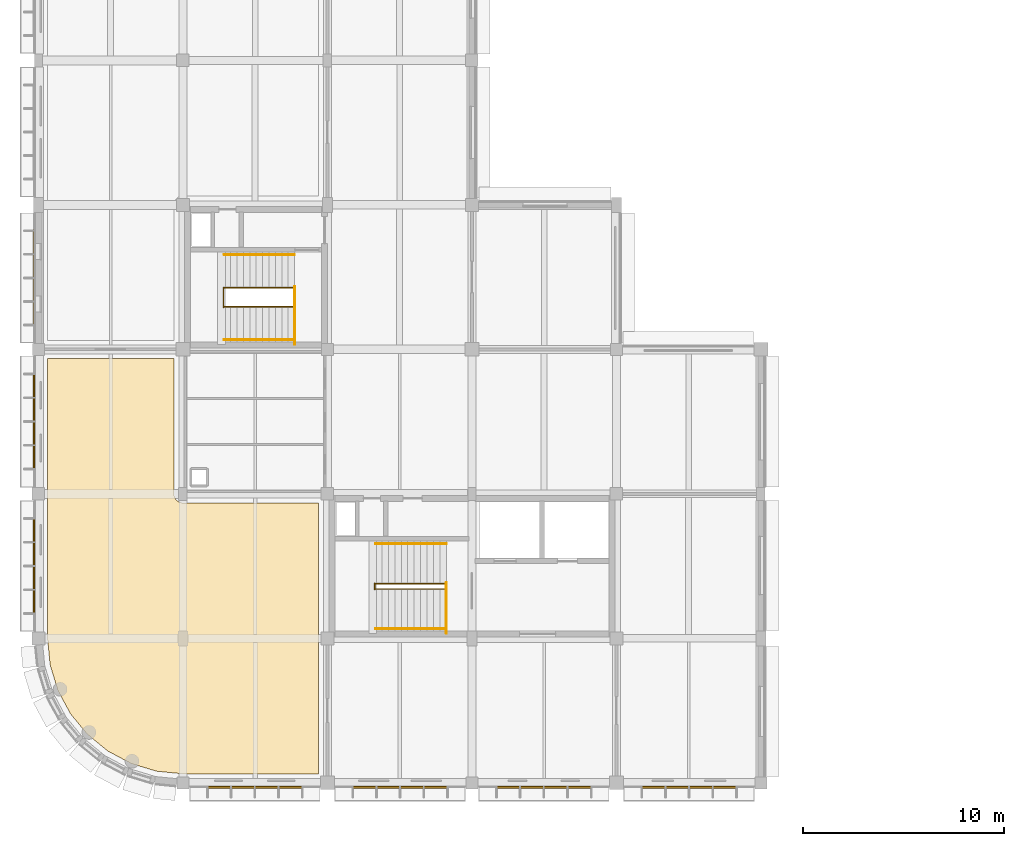
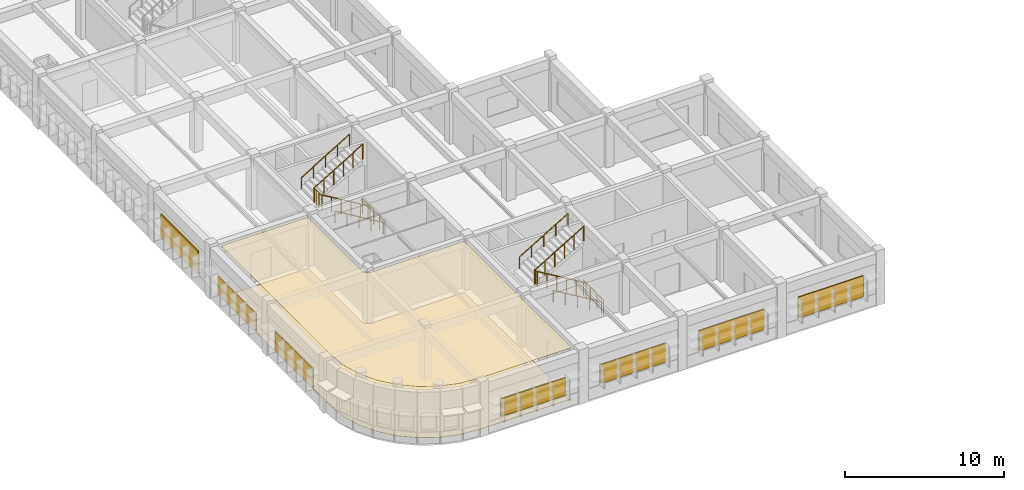
# One storey, part 33 of 38: 12 railings, 7 shading devices, 2 coverings.
"""IFC4 building model written with IfcOpenShell, lengths in metres."""

from ifc_helpers import new_model, si_unit, direction, frame, origin, origin_2d, place, context, subcontext, project, spatial, polyline, rectangle, circle, outline, extrude, material, layer, layer_set, type_object, element, save


model = new_model("IFC4")

# Units and contexts
model_context = context("Model", 3, precision=1e-05, world=origin(), true_north=direction((0.0, 1.0)))
body_context = subcontext(model_context, "Body", "Model", "MODEL_VIEW")
ifc_project = project(units=[si_unit("LENGTHUNIT", "METRE"), si_unit("AREAUNIT", "SQUARE_METRE"), si_unit("VOLUMEUNIT", "CUBIC_METRE"), si_unit("PLANEANGLEUNIT", "RADIAN"), si_unit("MASSUNIT", "GRAM", prefix="KILO")], contexts=[model_context])

# Site, building, storey
site_placement = place(None, origin())
site = spatial("IfcSite", under=ifc_project, at=site_placement, CompositionType="ELEMENT")
building_placement = place(site_placement, origin())
building = spatial("IfcBuilding", under=site, at=building_placement, Name="Thalmaran Polytechnic", CompositionType="ELEMENT")
storey_placement = place(building_placement, frame((0.0, 0.0, 18.60009765625)))
storey = spatial("IfcBuildingStorey", under=building, at=storey_placement, Name="L04", CompositionType="ELEMENT", Elevation=18.60009765625)

# Coverings
ifc_material_1 = material(Name="Acoustic mineral fibre ceiling")
ifc_layer_1 = layer(ifc_material_1, 0.02490234375, Name="Acoustic mineral fibre ceiling")
ifc_layer_set_1 = layer_set([ifc_layer_1], Name="Acoustic mineral fibre ceiling")
covering_type_1 = type_object("IfcCoveringType", Name="CV-CL01", PredefinedType="CEILING", material=ifc_layer_set_1)
covering_1_placement = place(storey_placement, frame((0.0, 0.0, 3.929931640625)))
element("IfcCovering", 1, at=covering_1_placement, inside=storey, type_object=covering_type_1, Name="Thermodynamics Laboratory L04-01 Acoustic Ceiling", PredefinedType="CEILING", context=body_context, shape_type="SweptSolid", body=[
    extrude(outline(polyline([(4.61767578125, 0.9658203125), (3.451171875, 1.58935546875), (2.428466796875, 2.428466796875), (1.58935546875, 3.451171875), (0.9658203125, 4.61767578125), (0.581787109375, 5.883544921875), (0.449951171875, 7.22216796875), (0.449951171875, 21.14990234375), (6.75, 21.14990234375), (6.75, 14.39990234375), (6.752197265625, 14.35595703125), (6.758544921875, 14.312255859375), (6.769287109375, 14.269287109375), (6.7841796875, 14.227783203125), (6.80322265625, 14.18798828125), (6.825927734375, 14.14990234375), (6.85205078125, 14.114501953125), (6.8818359375, 14.081787109375), (6.91455078125, 14.05224609375), (6.949951171875, 14.02587890625), (6.98779296875, 14.003173828125), (7.02783203125, 13.984375), (7.0693359375, 13.969482421875), (7.1123046875, 13.958740234375), (7.156005859375, 13.9521484375), (7.199951171875, 13.949951171875), (13.949951171875, 13.949951171875), (13.949951171875, 0.449951171875), (7.22216796875, 0.449951171875), (5.883544921875, 0.581787109375), (4.61767578125, 0.9658203125)])), origin(), (0.0, 0.0, 1.0), 0.02490234375),
])
ifc_material_2 = material(Name="Polished terrazzo and epoxy lab flooring")
ifc_layer_2 = layer(ifc_material_2, 0.02001953125, Name="Polished terrazzo and epoxy lab flooring")
ifc_layer_set_2 = layer_set([ifc_layer_2], Name="Polished terrazzo and epoxy lab flooring")
covering_type_2 = type_object("IfcCoveringType", Name="CV-FL01", PredefinedType="FLOORING", material=ifc_layer_set_2)
covering_2_placement = place(storey_placement, origin())
element("IfcCovering", 2, at=covering_2_placement, inside=storey, type_object=covering_type_2, Name="Thermodynamics Laboratory L04-01 Specialist Finish Flooring", PredefinedType="FLOORING", context=body_context, shape_type="SweptSolid", body=[
    extrude(outline(polyline([(4.61767578125, 0.9658203125), (3.451171875, 1.58935546875), (2.428466796875, 2.428466796875), (1.58935546875, 3.451171875), (0.9658203125, 4.61767578125), (0.581787109375, 5.883544921875), (0.449951171875, 7.22216796875), (0.449951171875, 21.14990234375), (6.75, 21.14990234375), (6.75, 14.39990234375), (6.752197265625, 14.35595703125), (6.758544921875, 14.312255859375), (6.769287109375, 14.269287109375), (6.7841796875, 14.227783203125), (6.80322265625, 14.18798828125), (6.825927734375, 14.14990234375), (6.85205078125, 14.114501953125), (6.8818359375, 14.081787109375), (6.91455078125, 14.05224609375), (6.949951171875, 14.02587890625), (6.98779296875, 14.003173828125), (7.02783203125, 13.984375), (7.0693359375, 13.969482421875), (7.1123046875, 13.958740234375), (7.156005859375, 13.9521484375), (7.199951171875, 13.949951171875), (13.949951171875, 13.949951171875), (13.949951171875, 0.449951171875), (7.22216796875, 0.449951171875), (5.883544921875, 0.581787109375), (4.61767578125, 0.9658203125)])), origin(), (0.0, 0.0, 1.0), 0.02001953125),
])

# Railings
ifc_material_3 = material(Name="Stainless steel 316", Category="steel")
railing_type_1 = type_object("IfcRailingType", Name="RL-GR01", PredefinedType="GUARDRAIL", material=ifc_material_3)
railing_1_placement = place(storey_placement, frame((20.330078125, 7.449951171875, 0.0)))
element("IfcRailing", 3, at=railing_1_placement, inside=storey, type_object=railing_type_1, Name="ST1 L04 Landing Edge Guardrail", PredefinedType="GUARDRAIL", context=body_context, shape_type="SweptSolid", body=[
    extrude(circle(Radius=0.02392578125, at=origin_2d()), frame((0.0, 0.0, 1.1259765625), z_axis=(0.0, 1.0, 0.0), x_axis=(-1.0, 0.0, 0.0)), (0.0, 0.0, 1.0), 2.530029296875),
    extrude(circle(Radius=0.02099609375, at=origin_2d()), origin(), (0.0, 0.0, 1.0), 1.101806640625),
    extrude(circle(Radius=0.02099609375, at=origin_2d()), frame((0.0, 0.84326171875, 0.0)), (0.0, 0.0, 1.0), 1.101806640625),
    extrude(circle(Radius=0.02099609375, at=origin_2d()), frame((0.0, 1.686767578125, 0.0)), (0.0, 0.0, 1.0), 1.101806640625),
    extrude(circle(Radius=0.02099609375, at=origin_2d()), frame((0.0, 2.530029296875, 0.0)), (0.0, 0.0, 1.0), 1.101806640625),
])
railing_2_placement = place(storey_placement, frame((20.320068359375, 9.659912109375, 0.0)))
element("IfcRailing", 4, at=railing_2_placement, inside=storey, type_object=railing_type_1, Name="ST1 L04 Lower Flight Guardrail", PredefinedType="GUARDRAIL", context=body_context, shape_type="SweptSolid", body=[
    extrude(circle(Radius=0.02392578125, at=origin_2d()), frame((0.0, 0.0, 1.1259765625), z_axis=(-0.858798815627, 0.0, 0.512312984686), x_axis=(0.0, -1.0, 0.0)), (0.0, 0.0, 1.0), 4.098876953125),
    extrude(circle(Radius=0.02099609375, at=origin_2d()), origin(), (0.0, 0.0, 1.0), 1.101806640625),
    extrude(circle(Radius=0.02099609375, at=origin_2d()), frame((-0.7041015625, 0.0, 0.419921875)), (0.0, 0.0, 1.0), 1.101806640625),
    extrude(circle(Radius=0.02099609375, at=origin_2d()), frame((-1.407958984375, 0.0, 0.83984375)), (0.0, 0.0, 1.0), 1.101806640625),
    extrude(circle(Radius=0.02099609375, at=origin_2d()), frame((-2.112060546875, 0.0, 1.260009765625)), (0.0, 0.0, 1.0), 1.101806640625),
    extrude(circle(Radius=0.02099609375, at=origin_2d()), frame((-2.81591796875, 0.0, 1.679931640625)), (0.0, 0.0, 1.0), 1.101806640625),
    extrude(circle(Radius=0.02099609375, at=origin_2d()), frame((-3.52001953125, 0.0, 2.099853515625)), (0.0, 0.0, 1.0), 1.101806640625),
])
railing_3_placement = place(storey_placement, frame((16.760009765625, 9.639892578125, 2.099853515625)))
element("IfcRailing", 5, at=railing_3_placement, inside=storey, type_object=railing_type_1, Name="ST1 L04 Half-Landing Well Guardrail", PredefinedType="GUARDRAIL", context=body_context, shape_type="SweptSolid", body=[
    extrude(circle(Radius=0.02392578125, at=origin_2d()), frame((0.0, 0.0, 1.1259765625), z_axis=(0.0, 1.0, 0.0), x_axis=(-1.0, 0.0, 0.0)), (0.0, 0.0, 1.0), 0.300048828125),
    extrude(circle(Radius=0.02099609375, at=origin_2d()), origin(), (0.0, 0.0, 1.0), 1.101806640625),
    extrude(circle(Radius=0.02099609375, at=origin_2d()), frame((0.0, 0.300048828125, 0.0)), (0.0, 0.0, 1.0), 1.101806640625),
])
railing_4_placement = place(storey_placement, frame((16.800048828125, 9.919921875, 2.099853515625)))
element("IfcRailing", 6, at=railing_4_placement, inside=storey, type_object=railing_type_1, Name="ST1 L04 Upper Flight Guardrail", PredefinedType="GUARDRAIL", context=body_context, shape_type="SweptSolid", body=[
    extrude(circle(Radius=0.02392578125, at=origin_2d()), frame((0.0, 0.0, 1.1259765625), z_axis=(0.85877260855, 0.0, 0.512356913493), x_axis=(0.0, 1.0, 0.0)), (0.0, 0.0, 1.0), 4.098876953125),
    extrude(circle(Radius=0.02099609375, at=origin_2d()), origin(), (0.0, 0.0, 1.0), 1.101806640625),
    extrude(circle(Radius=0.02099609375, at=origin_2d()), frame((0.7041015625, 0.0, 0.419921875)), (0.0, 0.0, 1.0), 1.101806640625),
    extrude(circle(Radius=0.02099609375, at=origin_2d()), frame((1.407958984375, 0.0, 0.840087890625)), (0.0, 0.0, 1.0), 1.101806640625),
    extrude(circle(Radius=0.02099609375, at=origin_2d()), frame((2.112060546875, 0.0, 1.260009765625)), (0.0, 0.0, 1.0), 1.101806640625),
    extrude(circle(Radius=0.02099609375, at=origin_2d()), frame((2.81591796875, 0.0, 1.68017578125)), (0.0, 0.0, 1.0), 1.101806640625),
    extrude(circle(Radius=0.02099609375, at=origin_2d()), frame((3.52001953125, 0.0, 2.10009765625)), (0.0, 0.0, 1.0), 1.101806640625),
])
railing_5_placement = place(storey_placement, frame((12.77001953125, 21.85009765625, 0.0)))
element("IfcRailing", 7, at=railing_5_placement, inside=storey, type_object=railing_type_1, Name="ST3 L04 Landing Edge Guardrail", PredefinedType="GUARDRAIL", context=body_context, shape_type="SweptSolid", body=[
    extrude(circle(Radius=0.02392578125, at=origin_2d()), frame((0.0, 0.0, 1.1259765625), z_axis=(0.0, 1.0, 0.0), x_axis=(-1.0, 0.0, 0.0)), (0.0, 0.0, 1.0), 2.869873046875),
    extrude(circle(Radius=0.02099609375, at=origin_2d()), origin(), (0.0, 0.0, 1.0), 1.101806640625),
    extrude(circle(Radius=0.02099609375, at=origin_2d()), frame((0.0, 0.717529296875, 0.0)), (0.0, 0.0, 1.0), 1.101806640625),
    extrude(circle(Radius=0.02099609375, at=origin_2d()), frame((0.0, 1.43505859375, 0.0)), (0.0, 0.0, 1.0), 1.101806640625),
    extrude(circle(Radius=0.02099609375, at=origin_2d()), frame((0.0, 2.15234375, 0.0)), (0.0, 0.0, 1.0), 1.101806640625),
    extrude(circle(Radius=0.02099609375, at=origin_2d()), frame((0.0, 2.869873046875, 0.0)), (0.0, 0.0, 1.0), 1.101806640625),
])
railing_6_placement = place(storey_placement, frame((12.760009765625, 23.719970703125, 0.0)))
element("IfcRailing", 8, at=railing_6_placement, inside=storey, type_object=railing_type_1, Name="ST3 L04 Lower Flight Guardrail", PredefinedType="GUARDRAIL", context=body_context, shape_type="SweptSolid", body=[
    extrude(circle(Radius=0.02392578125, at=origin_2d()), frame((0.0, 0.0, 1.1259765625), z_axis=(-0.857508758706, 0.0, 0.514469366185), x_axis=(0.0, -1.0, 0.0)), (0.0, 0.0, 1.0), 4.08154296875),
    extrude(circle(Radius=0.02099609375, at=origin_2d()), origin(), (0.0, 0.0, 1.0), 1.101806640625),
    extrude(circle(Radius=0.02099609375, at=origin_2d()), frame((-0.699951171875, 0.0, 0.419921875)), (0.0, 0.0, 1.0), 1.101806640625),
    extrude(circle(Radius=0.02099609375, at=origin_2d()), frame((-1.39990234375, 0.0, 0.83984375)), (0.0, 0.0, 1.0), 1.101806640625),
    extrude(circle(Radius=0.02099609375, at=origin_2d()), frame((-2.10009765625, 0.0, 1.260009765625)), (0.0, 0.0, 1.0), 1.101806640625),
    extrude(circle(Radius=0.02099609375, at=origin_2d()), frame((-2.800048828125, 0.0, 1.679931640625)), (0.0, 0.0, 1.0), 1.101806640625),
    extrude(circle(Radius=0.02099609375, at=origin_2d()), frame((-3.5, 0.0, 2.099853515625)), (0.0, 0.0, 1.0), 1.101806640625),
])
railing_7_placement = place(storey_placement, frame((9.219970703125, 23.699951171875, 2.099853515625)))
element("IfcRailing", 9, at=railing_7_placement, inside=storey, type_object=railing_type_1, Name="ST3 L04 Half-Landing Well Guardrail", PredefinedType="GUARDRAIL", context=body_context, shape_type="SweptSolid", body=[
    extrude(circle(Radius=0.02392578125, at=origin_2d()), frame((0.0, 0.0, 1.1259765625), z_axis=(0.0, 1.0, 0.0), x_axis=(-1.0, 0.0, 0.0)), (0.0, 0.0, 1.0), 0.97998046875),
    extrude(circle(Radius=0.02099609375, at=origin_2d()), origin(), (0.0, 0.0, 1.0), 1.101806640625),
    extrude(circle(Radius=0.02099609375, at=origin_2d()), frame((0.0, 0.32666015625, 0.0)), (0.0, 0.0, 1.0), 1.101806640625),
    extrude(circle(Radius=0.02099609375, at=origin_2d()), frame((0.0, 0.6533203125, 0.0)), (0.0, 0.0, 1.0), 1.101806640625),
    extrude(circle(Radius=0.02099609375, at=origin_2d()), frame((0.0, 0.97998046875, 0.0)), (0.0, 0.0, 1.0), 1.101806640625),
])
railing_8_placement = place(storey_placement, frame((9.260009765625, 24.659912109375, 2.099853515625)))
element("IfcRailing", 10, at=railing_8_placement, inside=storey, type_object=railing_type_1, Name="ST3 L04 Upper Flight Guardrail", PredefinedType="GUARDRAIL", context=body_context, shape_type="SweptSolid", body=[
    extrude(circle(Radius=0.02392578125, at=origin_2d()), frame((0.0, 0.0, 1.1259765625), z_axis=(0.857482370257, 0.0, 0.514513347444), x_axis=(0.0, 1.0, 0.0)), (0.0, 0.0, 1.0), 4.081787109375),
    extrude(circle(Radius=0.02099609375, at=origin_2d()), origin(), (0.0, 0.0, 1.0), 1.101806640625),
    extrude(circle(Radius=0.02099609375, at=origin_2d()), frame((0.699951171875, 0.0, 0.419921875)), (0.0, 0.0, 1.0), 1.101806640625),
    extrude(circle(Radius=0.02099609375, at=origin_2d()), frame((1.39990234375, 0.0, 0.840087890625)), (0.0, 0.0, 1.0), 1.101806640625),
    extrude(circle(Radius=0.02099609375, at=origin_2d()), frame((2.10009765625, 0.0, 1.260009765625)), (0.0, 0.0, 1.0), 1.101806640625),
    extrude(circle(Radius=0.02099609375, at=origin_2d()), frame((2.800048828125, 0.0, 1.68017578125)), (0.0, 0.0, 1.0), 1.101806640625),
    extrude(circle(Radius=0.02099609375, at=origin_2d()), frame((3.5, 0.0, 2.10009765625)), (0.0, 0.0, 1.0), 1.101806640625),
])
railing_type_2 = type_object("IfcRailingType", Name="RL-HR01", PredefinedType="HANDRAIL", material=ifc_material_3)
railing_9_placement = place(storey_placement, frame((20.320068359375, 7.679931640625, 0.0)))
element("IfcRailing", 11, at=railing_9_placement, inside=storey, type_object=railing_type_2, Name="ST1 L04 Flight 1 Handrail", PredefinedType="HANDRAIL", context=body_context, shape_type="SweptSolid", body=[
    extrude(circle(Radius=0.02392578125, at=origin_2d()), frame((0.0, 0.0, 0.8759765625), z_axis=(-0.858798815627, 0.0, 0.512312984686), x_axis=(0.0, -1.0, 0.0)), (0.0, 0.0, 1.0), 4.098876953125),
    extrude(circle(Radius=0.02099609375, at=origin_2d()), origin(), (0.0, 0.0, 1.0), 0.851806640625),
    extrude(circle(Radius=0.02099609375, at=origin_2d()), frame((-0.8798828125, 0.0, 0.52490234375)), (0.0, 0.0, 1.0), 0.851806640625),
    extrude(circle(Radius=0.02099609375, at=origin_2d()), frame((-1.760009765625, 0.0, 1.0498046875)), (0.0, 0.0, 1.0), 0.851806640625),
    extrude(circle(Radius=0.02099609375, at=origin_2d()), frame((-2.64013671875, 0.0, 1.574951171875)), (0.0, 0.0, 1.0), 0.851806640625),
    extrude(circle(Radius=0.02099609375, at=origin_2d()), frame((-3.52001953125, 0.0, 2.099853515625)), (0.0, 0.0, 1.0), 0.851806640625),
])
railing_10_placement = place(storey_placement, frame((16.800048828125, 11.919921875, 2.099853515625)))
element("IfcRailing", 12, at=railing_10_placement, inside=storey, type_object=railing_type_2, Name="ST1 L04 Flight 2 Handrail", PredefinedType="HANDRAIL", context=body_context, shape_type="SweptSolid", body=[
    extrude(circle(Radius=0.02392578125, at=origin_2d()), frame((0.0, 0.0, 0.8759765625), z_axis=(0.85877260855, 0.0, 0.512356913493), x_axis=(0.0, 1.0, 0.0)), (0.0, 0.0, 1.0), 4.098876953125),
    extrude(circle(Radius=0.02099609375, at=origin_2d()), origin(), (0.0, 0.0, 1.0), 0.851806640625),
    extrude(circle(Radius=0.02099609375, at=origin_2d()), frame((0.8798828125, 0.0, 0.52490234375)), (0.0, 0.0, 1.0), 0.851806640625),
    extrude(circle(Radius=0.02099609375, at=origin_2d()), frame((1.760009765625, 0.0, 1.050048828125)), (0.0, 0.0, 1.0), 0.851806640625),
    extrude(circle(Radius=0.02099609375, at=origin_2d()), frame((2.64013671875, 0.0, 1.5751953125)), (0.0, 0.0, 1.0), 0.851806640625),
    extrude(circle(Radius=0.02099609375, at=origin_2d()), frame((3.52001953125, 0.0, 2.10009765625)), (0.0, 0.0, 1.0), 0.851806640625),
])
railing_11_placement = place(storey_placement, frame((12.760009765625, 22.080078125, 0.0)))
element("IfcRailing", 13, at=railing_11_placement, inside=storey, type_object=railing_type_2, Name="ST3 L04 Flight 1 Handrail", PredefinedType="HANDRAIL", context=body_context, shape_type="SweptSolid", body=[
    extrude(circle(Radius=0.02392578125, at=origin_2d()), frame((0.0, 0.0, 0.8759765625), z_axis=(-0.857508758706, 0.0, 0.514469366185), x_axis=(0.0, -1.0, 0.0)), (0.0, 0.0, 1.0), 4.08154296875),
    extrude(circle(Radius=0.02099609375, at=origin_2d()), origin(), (0.0, 0.0, 1.0), 0.851806640625),
    extrude(circle(Radius=0.02099609375, at=origin_2d()), frame((-0.875, 0.0, 0.52490234375)), (0.0, 0.0, 1.0), 0.851806640625),
    extrude(circle(Radius=0.02099609375, at=origin_2d()), frame((-1.75, 0.0, 1.0498046875)), (0.0, 0.0, 1.0), 0.851806640625),
    extrude(circle(Radius=0.02099609375, at=origin_2d()), frame((-2.625, 0.0, 1.574951171875)), (0.0, 0.0, 1.0), 0.851806640625),
    extrude(circle(Radius=0.02099609375, at=origin_2d()), frame((-3.5, 0.0, 2.099853515625)), (0.0, 0.0, 1.0), 0.851806640625),
])
railing_12_placement = place(storey_placement, frame((9.260009765625, 26.320068359375, 2.099853515625)))
element("IfcRailing", 14, at=railing_12_placement, inside=storey, type_object=railing_type_2, Name="ST3 L04 Flight 2 Handrail", PredefinedType="HANDRAIL", context=body_context, shape_type="SweptSolid", body=[
    extrude(circle(Radius=0.02392578125, at=origin_2d()), frame((0.0, 0.0, 0.8759765625), z_axis=(0.857482370257, 0.0, 0.514513347444), x_axis=(0.0, 1.0, 0.0)), (0.0, 0.0, 1.0), 4.081787109375),
    extrude(circle(Radius=0.02099609375, at=origin_2d()), origin(), (0.0, 0.0, 1.0), 0.851806640625),
    extrude(circle(Radius=0.02099609375, at=origin_2d()), frame((0.875, 0.0, 0.52490234375)), (0.0, 0.0, 1.0), 0.851806640625),
    extrude(circle(Radius=0.02099609375, at=origin_2d()), frame((1.75, 0.0, 1.050048828125)), (0.0, 0.0, 1.0), 0.851806640625),
    extrude(circle(Radius=0.02099609375, at=origin_2d()), frame((2.625, 0.0, 1.5751953125)), (0.0, 0.0, 1.0), 0.851806640625),
    extrude(circle(Radius=0.02099609375, at=origin_2d()), frame((3.5, 0.0, 2.10009765625)), (0.0, 0.0, 1.0), 0.851806640625),
])

# Shading devices
ifc_material_4 = material(Name="Perforated anodised-bronze aluminium screen", Category="aluminium")
ifc_layer_3 = layer(ifc_material_4, 0.080078125, Name="Perforated anodised-bronze aluminium screen")
ifc_layer_set_3 = layer_set([ifc_layer_3], Name="Perforated anodised-bronze aluminium screen")
shading_device_type = type_object("IfcShadingDeviceType", Name="SH-JL01", PredefinedType="JALOUSIE", material=ifc_layer_set_3)
shading_device_1_placement = place(storey_placement, frame((-0.219970703125, 10.800048828125, 1.02490234375), z_axis=(0.0, 0.0, 1.0), x_axis=(0.0, 1.0, 0.0)))
element("IfcShadingDevice", 15, at=shading_device_1_placement, inside=storey, type_object=shading_device_type, Name="Anodised-Bronze Mashrabiya Solar Screen L04-026", PredefinedType="JALOUSIE", context=body_context, shape_type="SweptSolid", body=[
    extrude(rectangle(XDim=4.726806640625, YDim=0.080078125, at=origin_2d()), origin(), (0.0, 0.0, 1.0), 1.449951171875),
])
shading_device_2_placement = place(storey_placement, frame((-0.219970703125, 18.0, 1.02490234375), z_axis=(0.0, 0.0, 1.0), x_axis=(0.0, 1.0, 0.0)))
element("IfcShadingDevice", 16, at=shading_device_2_placement, inside=storey, type_object=shading_device_type, Name="Anodised-Bronze Mashrabiya Solar Screen L04-027", PredefinedType="JALOUSIE", context=body_context, shape_type="SweptSolid", body=[
    extrude(rectangle(XDim=4.744873046875, YDim=0.080078125, at=origin_2d()), origin(), (0.0, 0.0, 1.0), 1.35009765625),
])
shading_device_3_placement = place(storey_placement, frame((-0.219970703125, 25.199951171875, 1.02490234375), z_axis=(0.0, 0.0, 1.0), x_axis=(0.0, 1.0, 0.0)))
element("IfcShadingDevice", 17, at=shading_device_3_placement, inside=storey, type_object=shading_device_type, Name="Anodised-Bronze Mashrabiya Solar Screen L04-028", PredefinedType="JALOUSIE", context=body_context, shape_type="SweptSolid", body=[
    extrude(rectangle(XDim=4.697998046875, YDim=0.080078125, at=origin_2d()), origin(), (0.0, 0.0, 1.0), 1.75),
])
shading_device_4_placement = place(storey_placement, frame((32.39990234375, -0.219970703125, 1.02490234375), z_axis=(0.0, 0.0, 1.0), x_axis=(-1.0, 0.0, 0.0)))
element("IfcShadingDevice", 18, at=shading_device_4_placement, inside=storey, type_object=shading_device_type, Name="Anodised-Bronze Mashrabiya Solar Screen L04-094", PredefinedType="JALOUSIE", context=body_context, shape_type="SweptSolid", body=[
    extrude(rectangle(XDim=4.72314453125, YDim=0.080078125, at=origin_2d()), origin(), (0.0, 0.0, 1.0), 1.60009765625),
])
shading_device_5_placement = place(storey_placement, frame((25.199951171875, -0.219970703125, 1.02490234375), z_axis=(0.0, 0.0, 1.0), x_axis=(-1.0, 0.0, 0.0)))
element("IfcShadingDevice", 19, at=shading_device_5_placement, inside=storey, type_object=shading_device_type, Name="Anodised-Bronze Mashrabiya Solar Screen L04-095", PredefinedType="JALOUSIE", context=body_context, shape_type="SweptSolid", body=[
    extrude(rectangle(XDim=4.72314453125, YDim=0.080078125, at=origin_2d()), origin(), (0.0, 0.0, 1.0), 1.550048828125),
])
shading_device_6_placement = place(storey_placement, frame((18.0, -0.219970703125, 1.02490234375), z_axis=(0.0, 0.0, 1.0), x_axis=(-1.0, 0.0, 0.0)))
element("IfcShadingDevice", 20, at=shading_device_6_placement, inside=storey, type_object=shading_device_type, Name="Anodised-Bronze Mashrabiya Solar Screen L04-096", PredefinedType="JALOUSIE", context=body_context, shape_type="SweptSolid", body=[
    extrude(rectangle(XDim=4.72314453125, YDim=0.080078125, at=origin_2d()), origin(), (0.0, 0.0, 1.0), 1.449951171875),
])
shading_device_7_placement = place(storey_placement, frame((10.800048828125, -0.219970703125, 1.02490234375), z_axis=(0.0, 0.0, 1.0), x_axis=(-1.0, 0.0, 0.0)))
element("IfcShadingDevice", 21, at=shading_device_7_placement, inside=storey, type_object=shading_device_type, Name="Anodised-Bronze Mashrabiya Solar Screen L04-097", PredefinedType="JALOUSIE", context=body_context, shape_type="SweptSolid", body=[
    extrude(rectangle(XDim=4.72314453125, YDim=0.080078125, at=origin_2d()), origin(), (0.0, 0.0, 1.0), 1.35009765625),
])

save(model, "model.ifc")
